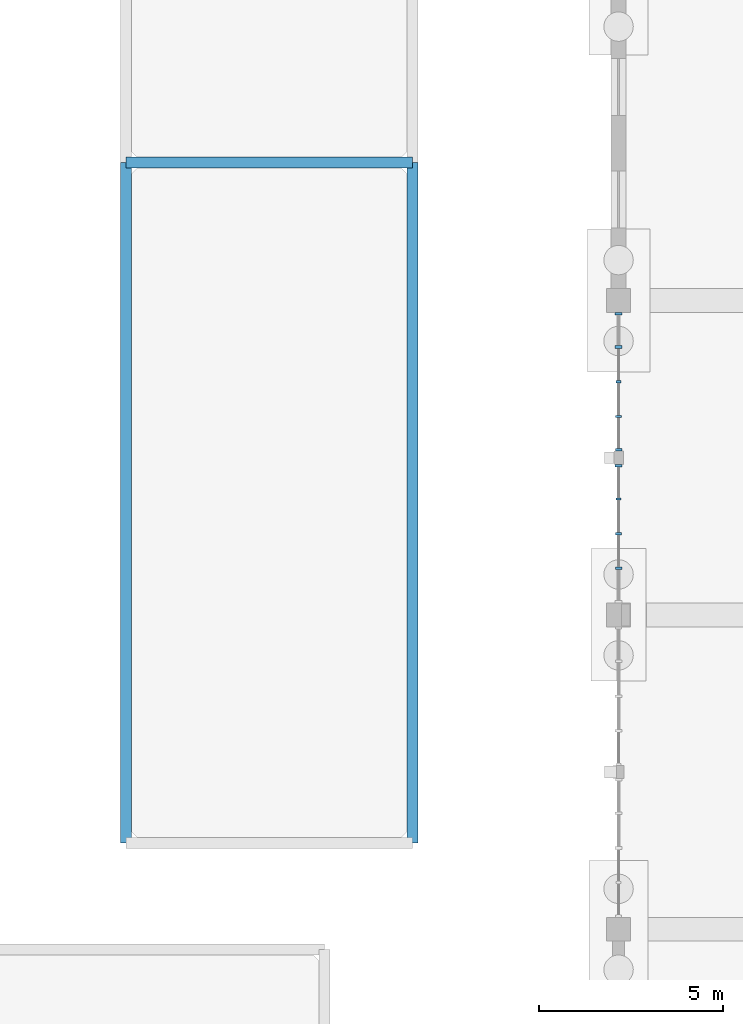
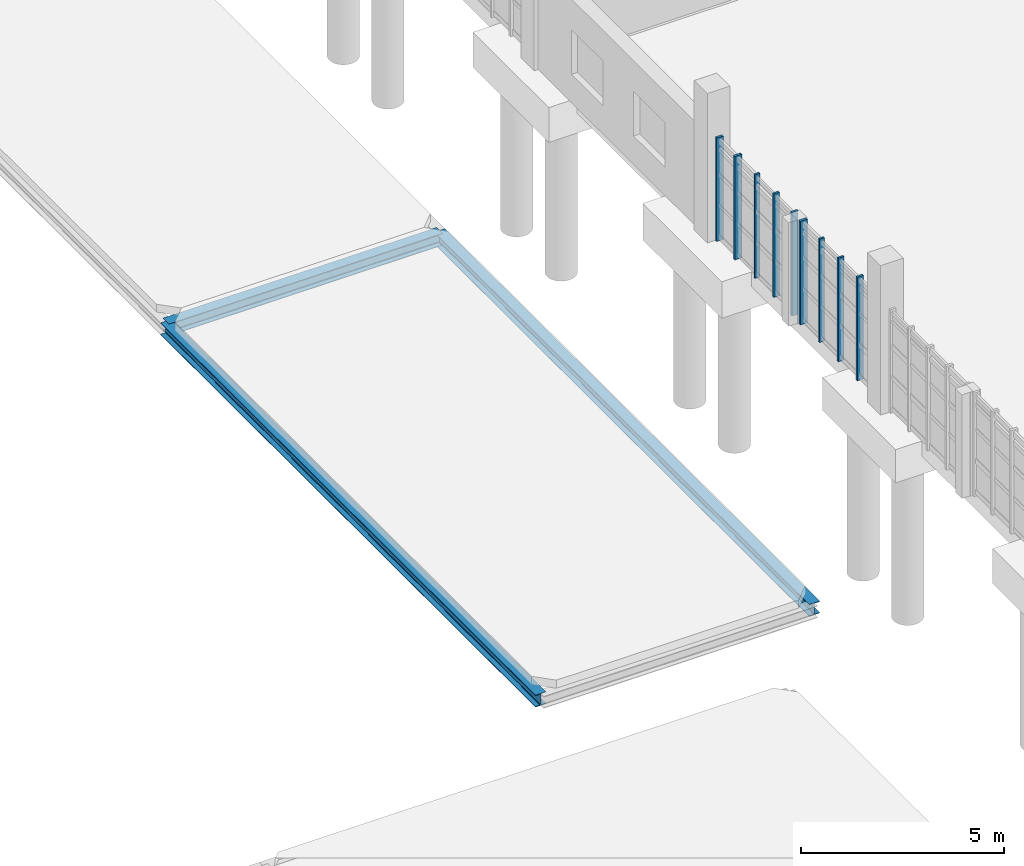
# One storey, part 46 of 125: 9 members, 3 beams, 2 elements without a shape of their own.
"""IFC4 building model written with IfcOpenShell, lengths in metres."""

from ifc_helpers import new_model, si_unit, direction, frame, origin, origin_2d, place, context, subcontext, project, spatial, rectangle, i_section, extrude, material, material_profile, profile_set, type_object, element, aggregate, save


model = new_model("IFC4")

# Units and contexts
model_context = context("Model", 3, precision=1e-05, world=origin(), true_north=direction((0.0, 1.0)))
body_context = subcontext(model_context, "Body", "Model", "MODEL_VIEW")
ifc_project = project(units=[si_unit("LENGTHUNIT", "METRE"), si_unit("AREAUNIT", "SQUARE_METRE"), si_unit("VOLUMEUNIT", "CUBIC_METRE"), si_unit("PLANEANGLEUNIT", "RADIAN"), si_unit("MASSUNIT", "GRAM", prefix="KILO")], contexts=[model_context])

# Site, building, storey
site_placement = place(None, origin())
site = spatial("IfcSite", under=ifc_project, at=site_placement, CompositionType="ELEMENT")
building_placement = place(site_placement, origin())
building = spatial("IfcBuilding", under=site, at=building_placement, Name="Serraforn Aerial Cableway Station", CompositionType="ELEMENT")
storey_placement = place(building_placement, frame((0.0, 0.0, 4.5)))
storey = spatial("IfcBuildingStorey", under=building, at=storey_placement, Name="L01", CompositionType="ELEMENT", Elevation=4.5)

# Beams
ifc_material_1 = material(Name="Steel S355JR", Category="steel")
ifc_material_profile_1 = material_profile(ifc_material_1, i_section(OverallWidth=0.300048828125, OverallDepth=0.360107421875, WebThickness=0.010009765625, FlangeThickness=0.017578125, FilletRadius=0.027099609375, at=origin_2d()), Name="HEA 360")
ifc_profile_set_1 = profile_set([ifc_material_profile_1], Name="Steel S355JR")
beam_type = type_object("IfcBeamType", Name="BM-ST-HEA360", PredefinedType="BEAM", material=ifc_profile_set_1)
beam_placement = place(storey_placement, frame((130.60009765625, 75.0, -0.425048828125), z_axis=(1.0, 0.0, 0.0), x_axis=(0.0, 1.0, 0.0)))
element("IfcBeam", 1, at=beam_placement, inside=storey, type_object=beam_type, Name="Colonnade Spandrel Beam EX-1-2", PredefinedType="BEAM", context=body_context, shape_type="SweptSolid", body=[
    extrude(i_section(OverallWidth=0.300048828125, OverallDepth=0.360107421875, WebThickness=0.010009765625, FlangeThickness=0.017578125, FilletRadius=0.027099609375, at=origin_2d()), origin(), (0.0, 0.0, 1.0), 7.7998046875),
])
for number, where, z_axis, x_axis, name in (
    (2, (130.60009765625, 56.5, -0.425048828125), (0.0, 1.0, 0.0), (-1.0, 0.0, 0.0), "Colonnade Cross Beam EY-1-1"),
    (3, (138.39990234375, 56.5, -0.425048828125), (0.0, 1.0, 0.0), (-1.0, 0.0, 0.0), "Colonnade Cross Beam EY-2-1"),
):
    element("IfcBeam", number, at=place(storey_placement, frame(where, z_axis=z_axis, x_axis=x_axis)), inside=storey, type_object=beam_type, Name=name, PredefinedType="BEAM", context=body_context, shape_type="SweptSolid", body=[
        extrude(i_section(OverallWidth=0.300048828125, OverallDepth=0.360107421875, WebThickness=0.010009765625, FlangeThickness=0.017578125, FilletRadius=0.027099609375, at=origin_2d()), origin(), (0.0, 0.0, 1.0), 18.5),
    ])

# Curtain wall, member
ifc_material_2 = material(Name="Anodised bronze unitised curtain wall")
curtain_wall_type_1 = type_object("IfcCurtainWallType", Name="CW-SYS-5", PredefinedType="USERDEFINED", material=ifc_material_2)
curtain_wall_1_placement = place(storey_placement, origin())
curtain_wall_1 = element("IfcCurtainWall", 4, at=curtain_wall_1_placement, inside=storey, type_object=curtain_wall_type_1, Name="Unitised Curtain Wall CW-EG-L01-W3A", ObjectType="UNITISED CURTAIN WALL", PredefinedType="USERDEFINED")
ifc_material_3 = material(Name="Anodised bronze extruded aluminium", Category="aluminium")
ifc_material_profile_2 = material_profile(ifc_material_3, rectangle(XDim=0.054931640625, YDim=0.139892578125, at=origin_2d()), Name="CW MULLION 55x140")
ifc_profile_set_2 = profile_set([ifc_material_profile_2], Name="Anodised bronze extruded aluminium")
member_type_1 = type_object("IfcMemberType", Name="CW-MUL-1", PredefinedType="MULLION", material=ifc_profile_set_2)
member_1_placement = place(storey_placement, frame((144.0, 69.041015625, 0.0), z_axis=(0.0, 0.0, 1.0), x_axis=(0.0, -1.0, 0.0)))
member_1 = element("IfcMember", 5, at=member_1_placement, type_object=member_type_1, Name="Curtain Wall Mullion CW-EG-L01-W3A-M3", PredefinedType="MULLION", context=body_context, shape_type="SweptSolid", body=[
    extrude(rectangle(XDim=0.054931640625, YDim=0.139892578125, at=origin_2d()), origin(), (0.0, 0.0, 1.0), 3.1201171875),
])

curtain_wall_type_2 = type_object("IfcCurtainWallType", Name="CW-SYS-6", PredefinedType="USERDEFINED", material=ifc_material_2)
curtain_wall_2_placement = place(storey_placement, origin())
curtain_wall_2 = element("IfcCurtainWall", 6, at=curtain_wall_2_placement, inside=storey, type_object=curtain_wall_type_2, Name="Unitised Curtain Wall CW-EG-L01-W3B", ObjectType="UNITISED CURTAIN WALL", PredefinedType="USERDEFINED")
member_2_placement = place(storey_placement, frame((144.0, 65.85205078125, 0.0), z_axis=(0.0, 0.0, 1.0), x_axis=(0.0, -1.0, 0.0)))
member_2 = element("IfcMember", 7, at=member_2_placement, type_object=member_type_1, Name="Curtain Wall Mullion CW-EG-L01-W3B-M2", PredefinedType="MULLION", context=body_context, shape_type="SweptSolid", body=[
    extrude(rectangle(XDim=0.054931640625, YDim=0.139892578125, at=origin_2d()), origin(), (0.0, 0.0, 1.0), 3.1201171875),
])

# Member
ifc_material_profile_3 = material_profile(ifc_material_3, rectangle(XDim=0.06005859375, YDim=0.159912109375, at=origin_2d()), Name="CW MULLION 60x160")
ifc_profile_set_3 = profile_set([ifc_material_profile_3], Name="Anodised bronze extruded aluminium")
member_type_2 = type_object("IfcMemberType", Name="CW-MUL-2", PredefinedType="MULLION", material=ifc_profile_set_3)
member_3_placement = place(storey_placement, frame((144.0, 68.097900390625, 0.0), z_axis=(0.0, 0.0, 1.0), x_axis=(0.0, -1.0, 0.0)))
member_3 = element("IfcMember", 8, at=member_3_placement, type_object=member_type_2, Name="Curtain Wall Mullion CW-EG-L01-W3A-M4", PredefinedType="MULLION", context=body_context, shape_type="SweptSolid", body=[
    extrude(rectangle(XDim=0.06005859375, YDim=0.159912109375, at=origin_2d()), origin(), (0.0, 0.0, 1.0), 3.1201171875),
])

member_4_placement = place(storey_placement, frame((144.0, 64.908935546875, 0.0), z_axis=(0.0, 0.0, 1.0), x_axis=(0.0, -1.0, 0.0)))
member_4 = element("IfcMember", 9, at=member_4_placement, type_object=member_type_2, Name="Curtain Wall Mullion CW-EG-L01-W3B-M3", PredefinedType="MULLION", context=body_context, shape_type="SweptSolid", body=[
    extrude(rectangle(XDim=0.06005859375, YDim=0.159912109375, at=origin_2d()), origin(), (0.0, 0.0, 1.0), 3.1201171875),
])

ifc_material_profile_4 = material_profile(ifc_material_3, rectangle(XDim=0.06494140625, YDim=0.175048828125, at=origin_2d()), Name="CW MULLION 65x175")
ifc_profile_set_4 = profile_set([ifc_material_profile_4], Name="Anodised bronze extruded aluminium")
member_type_3 = type_object("IfcMemberType", Name="CW-MUL-3", PredefinedType="MULLION", material=ifc_profile_set_4)
member_5_placement = place(storey_placement, frame((144.0, 67.1875, 0.0), z_axis=(0.0, 0.0, 1.0), x_axis=(0.0, -1.0, 0.0)))
member_5 = element("IfcMember", 10, at=member_5_placement, type_object=member_type_3, Name="Curtain Wall Mullion CW-EG-L01-W3A-M5", PredefinedType="MULLION", context=body_context, shape_type="SweptSolid", body=[
    extrude(rectangle(XDim=0.06494140625, YDim=0.175048828125, at=origin_2d()), origin(), (0.0, 0.0, 1.0), 3.1201171875),
])

member_6_placement = place(storey_placement, frame((144.0, 63.966064453125, 0.0), z_axis=(0.0, 0.0, 1.0), x_axis=(0.0, -1.0, 0.0)))
member_6 = element("IfcMember", 11, at=member_6_placement, type_object=member_type_3, Name="Curtain Wall Mullion CW-EG-L01-W3B-M4", PredefinedType="MULLION", context=body_context, shape_type="SweptSolid", body=[
    extrude(rectangle(XDim=0.06494140625, YDim=0.175048828125, at=origin_2d()), origin(), (0.0, 0.0, 1.0), 3.1201171875),
])

ifc_material_profile_5 = material_profile(ifc_material_3, rectangle(XDim=0.070068359375, YDim=0.18994140625, at=origin_2d()), Name="CW MULLION 70x190")
ifc_profile_set_5 = profile_set([ifc_material_profile_5], Name="Anodised bronze extruded aluminium")
member_type_4 = type_object("IfcMemberType", Name="CW-MUL-4", PredefinedType="MULLION", material=ifc_profile_set_5)
member_7_placement = place(storey_placement, frame((144.0, 70.89208984375, 0.0), z_axis=(0.0, 0.0, 1.0), x_axis=(0.0, -1.0, 0.0)))
member_7 = element("IfcMember", 12, at=member_7_placement, type_object=member_type_4, Name="Curtain Wall Mullion CW-EG-L01-W3A-M1", PredefinedType="MULLION", context=body_context, shape_type="SweptSolid", body=[
    extrude(rectangle(XDim=0.070068359375, YDim=0.18994140625, at=origin_2d()), origin(), (0.0, 0.0, 1.0), 3.1201171875),
])

ifc_material_profile_6 = material_profile(ifc_material_3, rectangle(XDim=0.074951171875, YDim=0.199951171875, at=origin_2d()), Name="CW MULLION 75x200")
ifc_profile_set_6 = profile_set([ifc_material_profile_6], Name="Anodised bronze extruded aluminium")
member_type_5 = type_object("IfcMemberType", Name="CW-MUL-5", PredefinedType="MULLION", material=ifc_profile_set_6)
member_8_placement = place(storey_placement, frame((144.0, 69.98388671875, 0.0), z_axis=(0.0, 0.0, 1.0), x_axis=(0.0, -1.0, 0.0)))
member_8 = element("IfcMember", 13, at=member_8_placement, type_object=member_type_5, Name="Curtain Wall Mullion CW-EG-L01-W3A-M2", PredefinedType="MULLION", context=body_context, shape_type="SweptSolid", body=[
    extrude(rectangle(XDim=0.074951171875, YDim=0.199951171875, at=origin_2d()), origin(), (0.0, 0.0, 1.0), 3.1201171875),
])

aggregate(curtain_wall_1, [member_7, member_8, member_1, member_3, member_5])

member_9_placement = place(storey_placement, frame((144.0, 66.757568359375, 0.0), z_axis=(0.0, 0.0, 1.0), x_axis=(0.0, -1.0, 0.0)))
member_9 = element("IfcMember", 14, at=member_9_placement, type_object=member_type_5, Name="Curtain Wall Mullion CW-EG-L01-W3B-M1", PredefinedType="MULLION", context=body_context, shape_type="SweptSolid", body=[
    extrude(rectangle(XDim=0.074951171875, YDim=0.199951171875, at=origin_2d()), origin(), (0.0, 0.0, 1.0), 3.1201171875),
])

aggregate(curtain_wall_2, [member_9, member_2, member_4, member_6])

save(model, "model.ifc")
